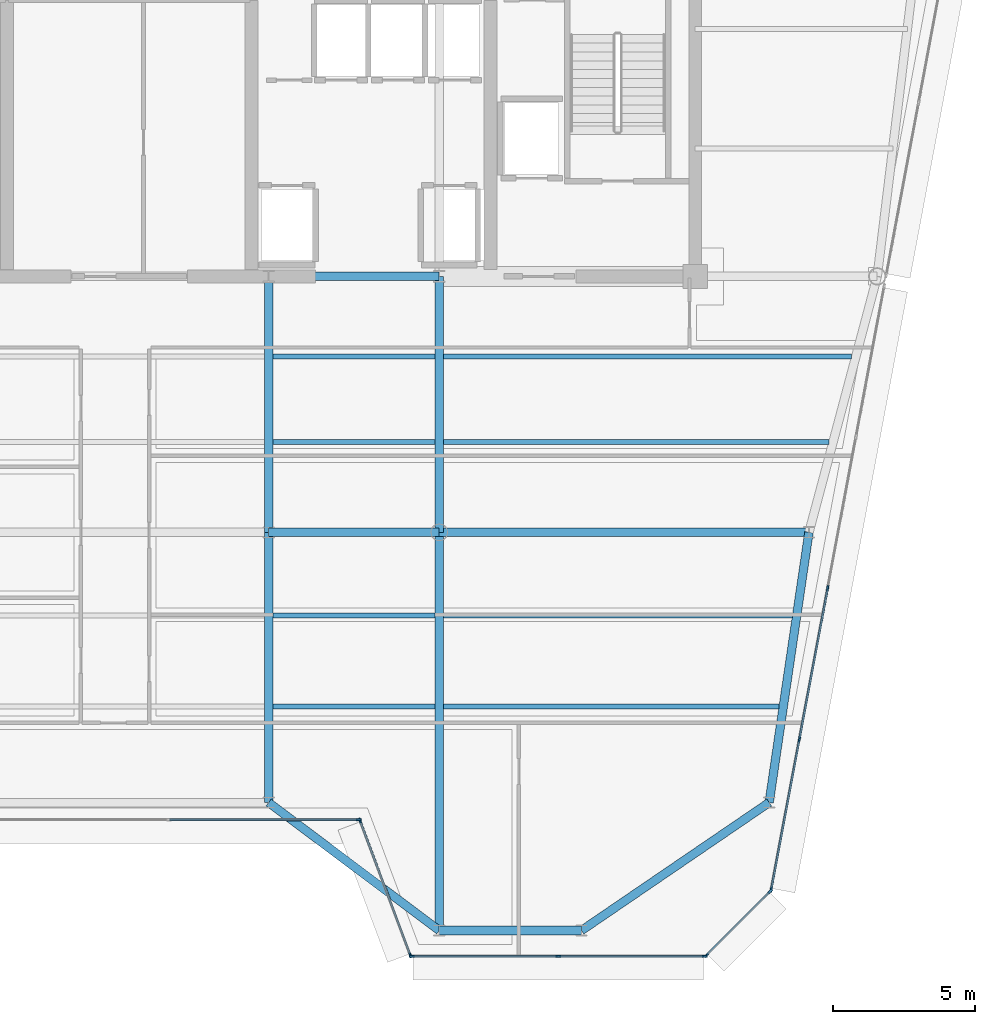
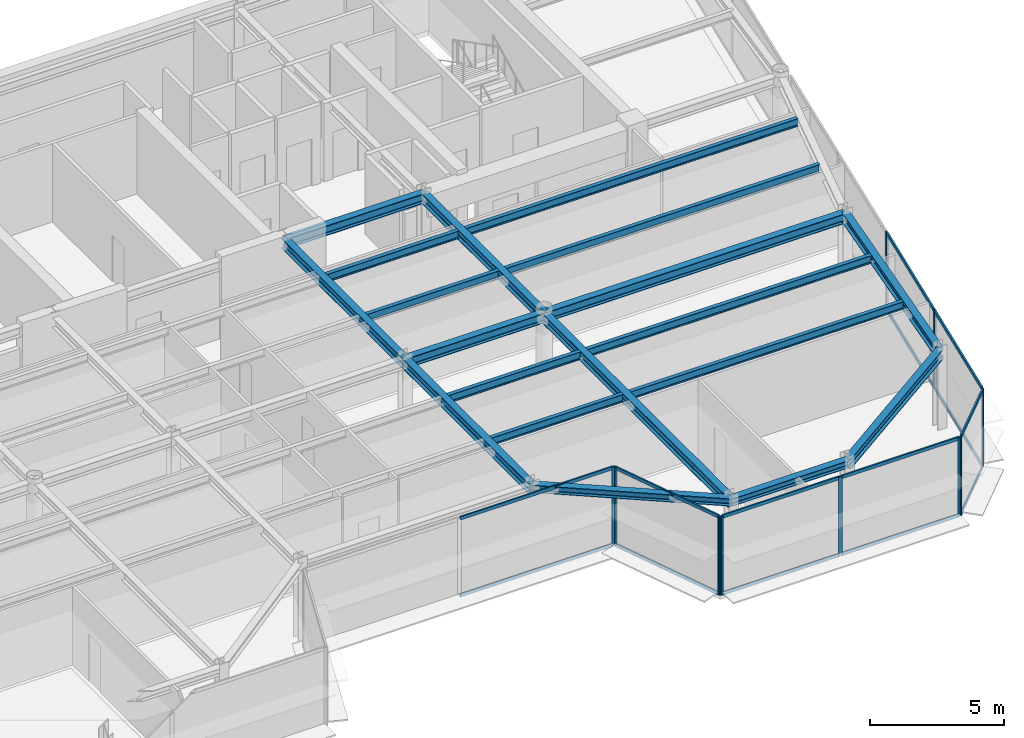
# One storey, part 6 of 20: 25 members, 19 beams, 5 elements without a shape of their own.
"""IFC4 building model written with IfcOpenShell, lengths in metres."""

from ifc_helpers import new_model, si_unit, direction, frame, origin, origin_2d, place, context, subcontext, project, spatial, rectangle, i_section, extrude, source, transform, mapped, material, layer, layer_set, material_profile, profile_set, type_object, element, aggregate, save


model = new_model("IFC4")

# Units and contexts
model_context = context("Model", 3, precision=1e-05, world=origin(), true_north=direction((0.0, 1.0)))
body_context = subcontext(model_context, "Body", "Model", "MODEL_VIEW")
ifc_project = project(units=[si_unit("LENGTHUNIT", "METRE"), si_unit("AREAUNIT", "SQUARE_METRE"), si_unit("VOLUMEUNIT", "CUBIC_METRE"), si_unit("PLANEANGLEUNIT", "RADIAN"), si_unit("MASSUNIT", "GRAM", prefix="KILO")], contexts=[model_context])

# Site, building, storey
site_placement = place(None, origin())
site = spatial("IfcSite", under=ifc_project, at=site_placement, CompositionType="ELEMENT")
building_placement = place(site_placement, origin())
building = spatial("IfcBuilding", under=site, at=building_placement, Name="Vaeldorn Concourse Tower", CompositionType="ELEMENT")
storey_placement = place(building_placement, frame((0.0, 0.0, 291.60009765625)))
storey = spatial("IfcBuildingStorey", under=building, at=storey_placement, Name="L75", CompositionType="ELEMENT", Elevation=291.60009765625)

# Beams
ifc_material_1 = material(Name="Steel S355", Category="steel")
ifc_material_profile_1 = material_profile(ifc_material_1, i_section(OverallWidth=0.300048828125, OverallDepth=0.449951171875, WebThickness=0.013916015625, FlangeThickness=0.02587890625, FilletRadius=0.027099609375, at=origin_2d()), Name="HEB 450")
ifc_profile_set_1 = profile_set([ifc_material_profile_1], Name="Steel S355")
beam_type_1 = type_object("IfcBeamType", Name="BM-PG-HEB450", PredefinedType="BEAM", material=ifc_profile_set_1)
shared_shape_1 = source(origin(), body_context, "Body", "SweptSolid", [
    extrude(i_section(OverallWidth=0.300048828125, OverallDepth=0.449951171875, WebThickness=0.013916015625, FlangeThickness=0.02587890625, FilletRadius=0.027099609375, at=origin_2d()), origin(), (0.0, 0.0, 1.0), 6.0),
])
for number, where, z_axis, x_axis, name in (
    (1, (39.0, 36.5, 3.35498046875), (1.0, 0.0, 0.0), (0.0, 1.0, 0.0), "Beam BM-L75-C-FC4-C-FC5"),
    (2, (39.0, 27.5, 3.35498046875), (1.0, 0.0, 0.0), (0.0, 1.0, 0.0), "Beam BM-L75-C-TW3-C-TW4"),
):
    element("IfcBeam", number, at=place(storey_placement, frame(where, z_axis=z_axis, x_axis=x_axis)), inside=storey, type_object=beam_type_1, Name=name, PredefinedType="BEAM", context=body_context, shape_type="MappedRepresentation", body=[
        mapped(shared_shape_1, transform((0.0, 0.0, 0.0), scale=1.0)),
    ])
ifc_material_profile_2 = material_profile(ifc_material_1, i_section(OverallWidth=0.169921875, OverallDepth=0.360107421875, WebThickness=0.008056640625, FlangeThickness=0.0126953125, FilletRadius=0.01806640625, at=origin_2d()), Name="IPE 360")
ifc_profile_set_2 = profile_set([ifc_material_profile_2], Name="Steel S355")
beam_type_2 = type_object("IfcBeamType", Name="BM-JS-IPE360", PredefinedType="JOIST", material=ifc_profile_set_2)
shared_shape_2 = source(origin(), body_context, "Body", "SweptSolid", [
    extrude(i_section(OverallWidth=0.169921875, OverallDepth=0.360107421875, WebThickness=0.008056640625, FlangeThickness=0.0126953125, FilletRadius=0.01806640625, at=origin_2d()), origin(), (0.0, 0.0, 1.0), 5.7001953125),
])
for number, where, z_axis, x_axis, name in (
    (3, (39.14990234375, 21.3798828125, 3.39990234375), (1.0, 0.0, 0.0), (0.0, 1.0, 0.0), "Beam JS-L75-E2-213"),
    (4, (39.14990234375, 24.580078125, 3.39990234375), (1.0, 0.0, 0.0), (0.0, 1.0, 0.0), "Beam JS-L75-E2-245"),
    (5, (39.14990234375, 30.679931640625, 3.39990234375), (1.0, 0.0, 0.0), (0.0, 1.0, 0.0), "Beam JS-L75-E2-306"),
    (6, (39.14990234375, 33.679931640625, 3.39990234375), (1.0, 0.0, 0.0), (0.0, 1.0, 0.0), "Beam JS-L75-E2-336"),
):
    element("IfcBeam", number, at=place(storey_placement, frame(where, z_axis=z_axis, x_axis=x_axis)), inside=storey, type_object=beam_type_2, Name=name, PredefinedType="JOIST", context=body_context, shape_type="MappedRepresentation", body=[
        mapped(shared_shape_2, transform((0.0, 0.0, 0.0), scale=1.0)),
    ])
ifc_material_profile_3 = material_profile(ifc_material_1, i_section(OverallWidth=0.300048828125, OverallDepth=0.340087890625, WebThickness=0.011962890625, FlangeThickness=0.021484375, FilletRadius=0.027099609375, at=origin_2d()), Name="HEB 340")
ifc_profile_set_3 = profile_set([ifc_material_profile_3], Name="Steel S355")
beam_type_3 = type_object("IfcBeamType", Name="BM-SP-HEB340", PredefinedType="SPANDREL", material=ifc_profile_set_3)
shared_shape_3 = source(origin(), body_context, "Body", "SweptSolid", [
    extrude(i_section(OverallWidth=0.300048828125, OverallDepth=0.340087890625, WebThickness=0.011962890625, FlangeThickness=0.021484375, FilletRadius=0.027099609375, at=origin_2d()), origin(), (0.0, 0.0, 1.0), 5.0),
])
beam_1_placement = place(storey_placement, frame((45.0, 13.5, 3.409912109375), z_axis=(1.0, 0.0, 0.0), x_axis=(0.0, 1.0, 0.0)))
element("IfcBeam", 7, at=beam_1_placement, inside=storey, type_object=beam_type_3, Name="Beam BM-L75-C-SF5-C-SF6", PredefinedType="SPANDREL", context=body_context, shape_type="MappedRepresentation", body=[
    mapped(shared_shape_3, transform((0.0, 0.0, 0.0), scale=1.0)),
])
shared_shape_4 = source(origin(), body_context, "Body", "SweptSolid", [
    extrude(i_section(OverallWidth=0.300048828125, OverallDepth=0.340087890625, WebThickness=0.011962890625, FlangeThickness=0.021484375, FilletRadius=0.027099609375, at=origin_2d()), origin(), (0.0, 0.0, 1.0), 7.5),
])
beam_2_placement = place(storey_placement, frame((39.0, 18.0, 3.409912109375), z_axis=(0.8, -0.6, 0.0), x_axis=(0.6, 0.8, 0.0)))
element("IfcBeam", 8, at=beam_2_placement, inside=storey, type_object=beam_type_3, Name="Beam BM-L75-C-SF4-C-SF5", PredefinedType="SPANDREL", context=body_context, shape_type="MappedRepresentation", body=[
    mapped(shared_shape_4, transform((0.0, 0.0, 0.0), scale=1.0)),
])
shared_shape_5 = source(origin(), body_context, "Body", "SweptSolid", [
    extrude(i_section(OverallWidth=0.169921875, OverallDepth=0.360107421875, WebThickness=0.008056640625, FlangeThickness=0.0126953125, FilletRadius=0.01806640625, at=origin_2d()), origin(), (0.0, 0.0, 1.0), 11.798095703125),
])
beam_3_placement = place(storey_placement, frame((45.14990234375, 21.3798828125, 3.39990234375), z_axis=(1.0, 0.0, 0.0), x_axis=(0.0, 1.0, 0.0)))
element("IfcBeam", 9, at=beam_3_placement, inside=storey, type_object=beam_type_2, Name="Beam JS-L75-E1-213", PredefinedType="JOIST", context=body_context, shape_type="MappedRepresentation", body=[
    mapped(shared_shape_5, transform((0.0, 0.0, 0.0), scale=1.0)),
])
shared_shape_6 = source(origin(), body_context, "Body", "SweptSolid", [
    extrude(i_section(OverallWidth=0.169921875, OverallDepth=0.360107421875, WebThickness=0.008056640625, FlangeThickness=0.0126953125, FilletRadius=0.01806640625, at=origin_2d()), origin(), (0.0, 0.0, 1.0), 12.269775390625),
])
beam_4_placement = place(storey_placement, frame((45.14990234375, 24.580078125, 3.39990234375), z_axis=(1.0, 0.0, 0.0), x_axis=(0.0, 1.0, 0.0)))
element("IfcBeam", 10, at=beam_4_placement, inside=storey, type_object=beam_type_2, Name="Beam JS-L75-E1-245", PredefinedType="JOIST", context=body_context, shape_type="MappedRepresentation", body=[
    mapped(shared_shape_6, transform((0.0, 0.0, 0.0), scale=1.0)),
])
shared_shape_7 = source(origin(), body_context, "Body", "SweptSolid", [
    extrude(i_section(OverallWidth=0.169921875, OverallDepth=0.360107421875, WebThickness=0.008056640625, FlangeThickness=0.0126953125, FilletRadius=0.01806640625, at=origin_2d()), origin(), (0.0, 0.0, 1.0), 13.548095703125),
])
beam_5_placement = place(storey_placement, frame((45.14990234375, 30.679931640625, 3.39990234375), z_axis=(1.0, 0.0, 0.0), x_axis=(0.0, 1.0, 0.0)))
element("IfcBeam", 11, at=beam_5_placement, inside=storey, type_object=beam_type_2, Name="Beam JS-L75-E1-306", PredefinedType="JOIST", context=body_context, shape_type="MappedRepresentation", body=[
    mapped(shared_shape_7, transform((0.0, 0.0, 0.0), scale=1.0)),
])
shared_shape_8 = source(origin(), body_context, "Body", "SweptSolid", [
    extrude(i_section(OverallWidth=0.169921875, OverallDepth=0.360107421875, WebThickness=0.008056640625, FlangeThickness=0.0126953125, FilletRadius=0.01806640625, at=origin_2d()), origin(), (0.0, 0.0, 1.0), 14.34814453125),
])
beam_6_placement = place(storey_placement, frame((45.14990234375, 33.679931640625, 3.39990234375), z_axis=(1.0, 0.0, 0.0), x_axis=(0.0, 1.0, 0.0)))
element("IfcBeam", 12, at=beam_6_placement, inside=storey, type_object=beam_type_2, Name="Beam JS-L75-E1-336", PredefinedType="JOIST", context=body_context, shape_type="MappedRepresentation", body=[
    mapped(shared_shape_8, transform((0.0, 0.0, 0.0), scale=1.0)),
])
shared_shape_9 = source(origin(), body_context, "Body", "SweptSolid", [
    extrude(i_section(OverallWidth=0.300048828125, OverallDepth=0.449951171875, WebThickness=0.013916015625, FlangeThickness=0.02587890625, FilletRadius=0.027099609375, at=origin_2d()), origin(), (0.0, 0.0, 1.0), 9.0),
])
for number, where, z_axis, x_axis, name in (
    (13, (39.0, 27.5, 3.35498046875), (0.0, 1.0, 0.0), (-1.0, 0.0, 0.0), "Beam BM-L75-C-TW3-C-FC4"),
    (14, (45.0, 27.5, 3.35498046875), (0.0, 1.0, 0.0), (-1.0, 0.0, 0.0), "Beam BM-L75-C-TW4-C-FC5"),
):
    element("IfcBeam", number, at=place(storey_placement, frame(where, z_axis=z_axis, x_axis=x_axis)), inside=storey, type_object=beam_type_1, Name=name, PredefinedType="BEAM", context=body_context, shape_type="MappedRepresentation", body=[
        mapped(shared_shape_9, transform((0.0, 0.0, 0.0), scale=1.0)),
    ])
shared_shape_10 = source(origin(), body_context, "Body", "SweptSolid", [
    extrude(i_section(OverallWidth=0.300048828125, OverallDepth=0.449951171875, WebThickness=0.013916015625, FlangeThickness=0.02587890625, FilletRadius=0.027099609375, at=origin_2d()), origin(), (0.0, 0.0, 1.0), 14.0),
])
beam_7_placement = place(storey_placement, frame((45.0, 13.5, 3.35498046875), z_axis=(0.0, 1.0, 0.0), x_axis=(-1.0, 0.0, 0.0)))
element("IfcBeam", 15, at=beam_7_placement, inside=storey, type_object=beam_type_1, Name="Beam BM-L75-C-SF5-C-TW4", PredefinedType="BEAM", context=body_context, shape_type="MappedRepresentation", body=[
    mapped(shared_shape_10, transform((0.0, 0.0, 0.0), scale=1.0)),
])
shared_shape_11 = source(origin(), body_context, "Body", "SweptSolid", [
    extrude(i_section(OverallWidth=0.300048828125, OverallDepth=0.449951171875, WebThickness=0.013916015625, FlangeThickness=0.02587890625, FilletRadius=0.027099609375, at=origin_2d()), origin(), (0.0, 0.0, 1.0), 13.0),
])
beam_8_placement = place(storey_placement, frame((45.0, 27.5, 3.35498046875), z_axis=(1.0, 0.0, 0.0), x_axis=(0.0, 1.0, 0.0)))
element("IfcBeam", 16, at=beam_8_placement, inside=storey, type_object=beam_type_1, Name="Beam BM-L75-C-TW4-C-FLE1", PredefinedType="BEAM", context=body_context, shape_type="MappedRepresentation", body=[
    mapped(shared_shape_11, transform((0.0, 0.0, 0.0), scale=1.0)),
])
shared_shape_12 = source(origin(), body_context, "Body", "SweptSolid", [
    extrude(i_section(OverallWidth=0.300048828125, OverallDepth=0.449951171875, WebThickness=0.013916015625, FlangeThickness=0.02587890625, FilletRadius=0.027099609375, at=origin_2d()), origin(), (0.0, 0.0, 1.0), 9.6025390625),
])
beam_9_placement = place(storey_placement, frame((58.0, 27.5, 3.35498046875), z_axis=(-0.145783835977, -0.989316467652, 0.0), x_axis=(0.989316467652, -0.145783835977, 0.0)))
element("IfcBeam", 17, at=beam_9_placement, inside=storey, type_object=beam_type_1, Name="Beam BM-L75-C-FLE1-C-FLE2", PredefinedType="BEAM", context=body_context, shape_type="MappedRepresentation", body=[
    mapped(shared_shape_12, transform((0.0, 0.0, 0.0), scale=1.0)),
])
shared_shape_13 = source(origin(), body_context, "Body", "SweptSolid", [
    extrude(i_section(OverallWidth=0.300048828125, OverallDepth=0.449951171875, WebThickness=0.013916015625, FlangeThickness=0.02587890625, FilletRadius=0.027099609375, at=origin_2d()), origin(), (0.0, 0.0, 1.0), 7.98828125),
])
beam_10_placement = place(storey_placement, frame((50.0, 13.5, 3.35498046875), z_axis=(0.826231222393, 0.56333113454, 0.0), x_axis=(-0.56333113454, 0.826231222393, 0.0)))
element("IfcBeam", 18, at=beam_10_placement, inside=storey, type_object=beam_type_1, Name="Beam BM-L75-C-SF6-C-FLE2", PredefinedType="BEAM", context=body_context, shape_type="MappedRepresentation", body=[
    mapped(shared_shape_13, transform((0.0, 0.0, 0.0), scale=1.0)),
])
shared_shape_14 = source(origin(), body_context, "Body", "SweptSolid", [
    extrude(i_section(OverallWidth=0.300048828125, OverallDepth=0.449951171875, WebThickness=0.013916015625, FlangeThickness=0.02587890625, FilletRadius=0.027099609375, at=origin_2d()), origin(), (0.0, 0.0, 1.0), 9.5),
])
beam_11_placement = place(storey_placement, frame((39.0, 18.0, 3.35498046875), z_axis=(0.0, 1.0, 0.0), x_axis=(-1.0, 0.0, 0.0)))
element("IfcBeam", 19, at=beam_11_placement, inside=storey, type_object=beam_type_1, Name="Beam BM-L75-C-SF4-C-TW3", PredefinedType="BEAM", context=body_context, shape_type="MappedRepresentation", body=[
    mapped(shared_shape_14, transform((0.0, 0.0, 0.0), scale=1.0)),
])

# Curtain wall, member
ifc_material_2 = material(Name="Anodised Bronze Aluminium", Category="aluminium")
ifc_layer = layer(ifc_material_2, 0.179931640625)
ifc_layer_set = layer_set([ifc_layer], Name="Anodised Bronze Aluminium")
curtain_wall_type = type_object("IfcCurtainWallType", Name="CW-SYS-05", PredefinedType="NOTDEFINED", material=ifc_layer_set)
curtain_wall_1_placement = place(storey_placement, origin())
curtain_wall_1 = element("IfcCurtainWall", 20, at=curtain_wall_1_placement, inside=storey, type_object=curtain_wall_type, Name="Unitised Curtain Wall CW-L75-E03-1", PredefinedType="NOTDEFINED")
ifc_material_profile_4 = material_profile(ifc_material_2, rectangle(XDim=0.06494140625, YDim=0.169921875, at=origin_2d()), Name="CWM 65x170")
ifc_profile_set_4 = profile_set([ifc_material_profile_4], Name="Anodised Bronze Aluminium")
member_type_1 = type_object("IfcMemberType", Name="CWM-BRONZE-170", PredefinedType="MULLION", material=ifc_profile_set_4)
shared_shape_15 = source(origin(), body_context, "Body", "SweptSolid", [
    extrude(rectangle(XDim=0.06494140625, YDim=0.169921875, at=origin_2d()), origin(), (0.0, 0.0, 1.0), 3.579833984375),
])
member_1_placement = place(storey_placement, frame((42.16748046875, 17.39990234375, 0.0), z_axis=(0.0, 0.0, 1.0), x_axis=(0.0, 1.0, 0.0)))
member_1 = element("IfcMember", 21, at=member_1_placement, type_object=member_type_1, Name="CW-05 mullion 3", PredefinedType="MULLION", context=body_context, shape_type="MappedRepresentation", body=[
    mapped(shared_shape_15, transform((0.0, 0.0, 0.0), scale=1.0)),
])

# Curtain wall, members
curtain_wall_2_placement = place(storey_placement, origin())
curtain_wall_2 = element("IfcCurtainWall", 22, at=curtain_wall_2_placement, inside=storey, type_object=curtain_wall_type, Name="Unitised Curtain Wall CW-L75-E04-1", PredefinedType="NOTDEFINED")
member_2_placement = place(storey_placement, frame((42.21142578125, 17.36962890625, 0.0), z_axis=(0.0, 0.0, 1.0), x_axis=(0.936329177566, 0.351123441595, 0.0)))
member_2 = element("IfcMember", 23, at=member_2_placement, type_object=member_type_1, Name="CW-05 mullion 1", PredefinedType="MULLION", context=body_context, shape_type="MappedRepresentation", body=[
    mapped(shared_shape_15, transform((0.0, 0.0, 0.0), scale=1.0)),
])
member_3_placement = place(storey_placement, frame((43.988525390625, 12.63037109375, 0.0), z_axis=(0.0, 0.0, 1.0), x_axis=(0.936329177566, 0.351123441595, 0.0)))
member_3 = element("IfcMember", 24, at=member_3_placement, type_object=member_type_1, Name="CW-05 mullion 2", PredefinedType="MULLION", context=body_context, shape_type="MappedRepresentation", body=[
    mapped(shared_shape_15, transform((0.0, 0.0, 0.0), scale=1.0)),
])

curtain_wall_3_placement = place(storey_placement, origin())
curtain_wall_3 = element("IfcCurtainWall", 25, at=curtain_wall_3_placement, inside=storey, type_object=curtain_wall_type, Name="Unitised Curtain Wall CW-L75-E05-1", PredefinedType="NOTDEFINED")
member_4_placement = place(storey_placement, frame((44.032470703125, 12.60009765625, 0.0), z_axis=(0.0, 0.0, 1.0), x_axis=(0.0, 1.0, 0.0)))
member_4 = element("IfcMember", 26, at=member_4_placement, type_object=member_type_1, Name="CW-05 mullion 1", PredefinedType="MULLION", context=body_context, shape_type="MappedRepresentation", body=[
    mapped(shared_shape_15, transform((0.0, 0.0, 0.0), scale=1.0)),
])
member_5_placement = place(storey_placement, frame((49.181884765625, 12.60009765625, 0.0), z_axis=(0.0, 0.0, 1.0), x_axis=(0.0, 1.0, 0.0)))
member_5 = element("IfcMember", 27, at=member_5_placement, type_object=member_type_1, Name="CW-05 mullion 2", PredefinedType="MULLION", context=body_context, shape_type="MappedRepresentation", body=[
    mapped(shared_shape_15, transform((0.0, 0.0, 0.0), scale=1.0)),
])
member_6_placement = place(storey_placement, frame((54.33154296875, 12.60009765625, 0.0), z_axis=(0.0, 0.0, 1.0), x_axis=(0.0, 1.0, 0.0)))
member_6 = element("IfcMember", 28, at=member_6_placement, type_object=member_type_1, Name="CW-05 mullion 3", PredefinedType="MULLION", context=body_context, shape_type="MappedRepresentation", body=[
    mapped(shared_shape_15, transform((0.0, 0.0, 0.0), scale=1.0)),
])

curtain_wall_4_placement = place(storey_placement, origin())
curtain_wall_4 = element("IfcCurtainWall", 29, at=curtain_wall_4_placement, inside=storey, type_object=curtain_wall_type, Name="Unitised Curtain Wall CW-L75-E06-1", PredefinedType="NOTDEFINED")
member_7_placement = place(storey_placement, frame((54.386962890625, 12.623046875, 0.0), z_axis=(0.0, 0.0, 1.0), x_axis=(-0.707106781187, 0.707106781187, 0.0)))
member_7 = element("IfcMember", 30, at=member_7_placement, type_object=member_type_1, Name="CW-05 mullion 1", PredefinedType="MULLION", context=body_context, shape_type="MappedRepresentation", body=[
    mapped(shared_shape_15, transform((0.0, 0.0, 0.0), scale=1.0)),
])
member_8_placement = place(storey_placement, frame((56.64111328125, 14.876953125, 0.0), z_axis=(0.0, 0.0, 1.0), x_axis=(-0.707106781187, 0.707106781187, 0.0)))
member_8 = element("IfcMember", 31, at=member_8_placement, type_object=member_type_1, Name="CW-05 mullion 2", PredefinedType="MULLION", context=body_context, shape_type="MappedRepresentation", body=[
    mapped(shared_shape_15, transform((0.0, 0.0, 0.0), scale=1.0)),
])

curtain_wall_5_placement = place(storey_placement, origin())
curtain_wall_5 = element("IfcCurtainWall", 32, at=curtain_wall_5_placement, inside=storey, type_object=curtain_wall_type, Name="Unitised Curtain Wall CW-L75-E07-1", PredefinedType="NOTDEFINED")
member_9_placement = place(storey_placement, frame((56.669921875, 14.931884765625, 0.0), z_axis=(0.0, 0.0, 1.0), x_axis=(-0.982880027444, 0.184246714088, 0.0)))
member_9 = element("IfcMember", 33, at=member_9_placement, type_object=member_type_1, Name="CW-05 mullion 1", PredefinedType="MULLION", context=body_context, shape_type="MappedRepresentation", body=[
    mapped(shared_shape_15, transform((0.0, 0.0, 0.0), scale=1.0)),
])
member_10_placement = place(storey_placement, frame((57.66162109375, 20.22119140625, 0.0), z_axis=(0.0, 0.0, 1.0), x_axis=(-0.982880027444, 0.184246714088, 0.0)))
member_10 = element("IfcMember", 34, at=member_10_placement, type_object=member_type_1, Name="CW-05 mullion 2", PredefinedType="MULLION", context=body_context, shape_type="MappedRepresentation", body=[
    mapped(shared_shape_15, transform((0.0, 0.0, 0.0), scale=1.0)),
])
member_11_placement = place(storey_placement, frame((58.658935546875, 25.54248046875, 0.0), z_axis=(0.0, 0.0, 1.0), x_axis=(-0.982880027444, 0.184246714088, 0.0)))
member_11 = element("IfcMember", 35, at=member_11_placement, type_object=member_type_1, Name="CW-05 mullion 3", PredefinedType="MULLION", context=body_context, shape_type="MappedRepresentation", body=[
    mapped(shared_shape_15, transform((0.0, 0.0, 0.0), scale=1.0)),
])

# Member
ifc_material_profile_5 = material_profile(ifc_material_2, rectangle(XDim=0.06494140625, YDim=0.14990234375, at=origin_2d()), Name="CWT 65x150")
ifc_profile_set_5 = profile_set([ifc_material_profile_5], Name="Anodised Bronze Aluminium")
member_type_2 = type_object("IfcMemberType", Name="CWT-BRONZE-150", PredefinedType="USERDEFINED", material=ifc_profile_set_5)
shared_shape_16 = source(origin(), body_context, "Body", "SweptSolid", [
    extrude(rectangle(XDim=0.06494140625, YDim=0.14990234375, at=origin_2d()), origin(), (0.0, 0.0, 1.0), 4.996337890625),
])
member_12_placement = place(storey_placement, frame((42.222900390625, 17.339111328125, 0.032470703125), z_axis=(0.351134151405, -0.936325161318, 0.0), x_axis=(0.936325161318, 0.351134151405, 0.0)))
member_12 = element("IfcMember", 36, at=member_12_placement, type_object=member_type_2, Name="CW-05 transom 1.1", ObjectType="TRANSOM", PredefinedType="USERDEFINED", context=body_context, shape_type="MappedRepresentation", body=[
    mapped(shared_shape_16, transform((0.0, 0.0, 0.0), scale=1.0)),
])

member_13_placement = place(storey_placement, frame((42.222900390625, 17.339111328125, 3.54736328125), z_axis=(0.351134151405, -0.936325161318, 0.0), x_axis=(0.936325161318, 0.351134151405, 0.0)))
member_13 = element("IfcMember", 37, at=member_13_placement, type_object=member_type_2, Name="CW-05 transom 1.2", ObjectType="TRANSOM", PredefinedType="USERDEFINED", context=body_context, shape_type="MappedRepresentation", body=[
    mapped(shared_shape_16, transform((0.0, 0.0, 0.0), scale=1.0)),
])

aggregate(curtain_wall_2, [member_2, member_3, member_12, member_13])

shared_shape_17 = source(origin(), body_context, "Body", "SweptSolid", [
    extrude(rectangle(XDim=0.06494140625, YDim=0.14990234375, at=origin_2d()), origin(), (0.0, 0.0, 1.0), 6.6025390625),
])
member_14_placement = place(storey_placement, frame((35.532470703125, 17.39990234375, 0.032470703125), z_axis=(1.0, 0.0, 0.0), x_axis=(0.0, 1.0, 0.0)))
member_14 = element("IfcMember", 38, at=member_14_placement, type_object=member_type_2, Name="CW-05 transom 2.1", ObjectType="TRANSOM", PredefinedType="USERDEFINED", context=body_context, shape_type="MappedRepresentation", body=[
    mapped(shared_shape_17, transform((0.0, 0.0, 0.0), scale=1.0)),
])

member_15_placement = place(storey_placement, frame((35.532470703125, 17.39990234375, 3.54736328125), z_axis=(1.0, 0.0, 0.0), x_axis=(0.0, 1.0, 0.0)))
member_15 = element("IfcMember", 39, at=member_15_placement, type_object=member_type_2, Name="CW-05 transom 2.2", ObjectType="TRANSOM", PredefinedType="USERDEFINED", context=body_context, shape_type="MappedRepresentation", body=[
    mapped(shared_shape_17, transform((0.0, 0.0, 0.0), scale=1.0)),
])

aggregate(curtain_wall_1, [member_1, member_14, member_15])

shared_shape_18 = source(origin(), body_context, "Body", "SweptSolid", [
    extrude(rectangle(XDim=0.06494140625, YDim=0.14990234375, at=origin_2d()), origin(), (0.0, 0.0, 1.0), 3.12255859375),
])
member_16_placement = place(storey_placement, frame((54.409912109375, 12.64599609375, 0.032470703125), z_axis=(0.707106781187, 0.707106781187, 0.0), x_axis=(-0.707106781187, 0.707106781187, 0.0)))
member_16 = element("IfcMember", 40, at=member_16_placement, type_object=member_type_2, Name="CW-05 transom 1.1", ObjectType="TRANSOM", PredefinedType="USERDEFINED", context=body_context, shape_type="MappedRepresentation", body=[
    mapped(shared_shape_18, transform((0.0, 0.0, 0.0), scale=1.0)),
])

member_17_placement = place(storey_placement, frame((54.409912109375, 12.64599609375, 3.54736328125), z_axis=(0.707106781187, 0.707106781187, 0.0), x_axis=(-0.707106781187, 0.707106781187, 0.0)))
member_17 = element("IfcMember", 41, at=member_17_placement, type_object=member_type_2, Name="CW-05 transom 1.2", ObjectType="TRANSOM", PredefinedType="USERDEFINED", context=body_context, shape_type="MappedRepresentation", body=[
    mapped(shared_shape_18, transform((0.0, 0.0, 0.0), scale=1.0)),
])

aggregate(curtain_wall_4, [member_7, member_8, member_16, member_17])

shared_shape_19 = source(origin(), body_context, "Body", "SweptSolid", [
    extrude(rectangle(XDim=0.06494140625, YDim=0.14990234375, at=origin_2d()), origin(), (0.0, 0.0, 1.0), 5.31640625),
])
member_18_placement = place(storey_placement, frame((56.676025390625, 14.9638671875, 0.032470703125), z_axis=(0.184241399207, 0.982881023735, 0.0), x_axis=(-0.982881023735, 0.184241399207, 0.0)))
member_18 = element("IfcMember", 42, at=member_18_placement, type_object=member_type_2, Name="CW-05 transom 1.1", ObjectType="TRANSOM", PredefinedType="USERDEFINED", context=body_context, shape_type="MappedRepresentation", body=[
    mapped(shared_shape_19, transform((0.0, 0.0, 0.0), scale=1.0)),
])

member_19_placement = place(storey_placement, frame((56.676025390625, 14.9638671875, 3.54736328125), z_axis=(0.184241399207, 0.982881023735, 0.0), x_axis=(-0.982881023735, 0.184241399207, 0.0)))
member_19 = element("IfcMember", 43, at=member_19_placement, type_object=member_type_2, Name="CW-05 transom 1.2", ObjectType="TRANSOM", PredefinedType="USERDEFINED", context=body_context, shape_type="MappedRepresentation", body=[
    mapped(shared_shape_19, transform((0.0, 0.0, 0.0), scale=1.0)),
])

shared_shape_20 = source(origin(), body_context, "Body", "SweptSolid", [
    extrude(rectangle(XDim=0.06494140625, YDim=0.14990234375, at=origin_2d()), origin(), (0.0, 0.0, 1.0), 5.348876953125),
])
member_20_placement = place(storey_placement, frame((57.66748046875, 20.253173828125, 0.032470703125), z_axis=(0.184260976912, 0.982877353685, 0.0), x_axis=(-0.982877353685, 0.184260976912, 0.0)))
member_20 = element("IfcMember", 44, at=member_20_placement, type_object=member_type_2, Name="CW-05 transom 2.1", ObjectType="TRANSOM", PredefinedType="USERDEFINED", context=body_context, shape_type="MappedRepresentation", body=[
    mapped(shared_shape_20, transform((0.0, 0.0, 0.0), scale=1.0)),
])

member_21_placement = place(storey_placement, frame((57.66748046875, 20.253173828125, 3.54736328125), z_axis=(0.184260976912, 0.982877353685, 0.0), x_axis=(-0.982877353685, 0.184260976912, 0.0)))
member_21 = element("IfcMember", 45, at=member_21_placement, type_object=member_type_2, Name="CW-05 transom 2.2", ObjectType="TRANSOM", PredefinedType="USERDEFINED", context=body_context, shape_type="MappedRepresentation", body=[
    mapped(shared_shape_20, transform((0.0, 0.0, 0.0), scale=1.0)),
])

aggregate(curtain_wall_5, [member_9, member_10, member_11, member_18, member_19, member_20, member_21])

shared_shape_21 = source(origin(), body_context, "Body", "SweptSolid", [
    extrude(rectangle(XDim=0.06494140625, YDim=0.14990234375, at=origin_2d()), origin(), (0.0, 0.0, 1.0), 5.08447265625),
])
member_22_placement = place(storey_placement, frame((44.06494140625, 12.60009765625, 0.032470703125), z_axis=(1.0, 0.0, 0.0), x_axis=(0.0, 1.0, 0.0)))
member_22 = element("IfcMember", 46, at=member_22_placement, type_object=member_type_2, Name="CW-05 transom 1.1", ObjectType="TRANSOM", PredefinedType="USERDEFINED", context=body_context, shape_type="MappedRepresentation", body=[
    mapped(shared_shape_21, transform((0.0, 0.0, 0.0), scale=1.0)),
])

member_23_placement = place(storey_placement, frame((44.06494140625, 12.60009765625, 3.54736328125), z_axis=(1.0, 0.0, 0.0), x_axis=(0.0, 1.0, 0.0)))
member_23 = element("IfcMember", 47, at=member_23_placement, type_object=member_type_2, Name="CW-05 transom 1.2", ObjectType="TRANSOM", PredefinedType="USERDEFINED", context=body_context, shape_type="MappedRepresentation", body=[
    mapped(shared_shape_21, transform((0.0, 0.0, 0.0), scale=1.0)),
])

member_24_placement = place(storey_placement, frame((49.214599609375, 12.60009765625, 0.032470703125), z_axis=(1.0, 0.0, 0.0), x_axis=(0.0, 1.0, 0.0)))
member_24 = element("IfcMember", 48, at=member_24_placement, type_object=member_type_2, Name="CW-05 transom 2.1", ObjectType="TRANSOM", PredefinedType="USERDEFINED", context=body_context, shape_type="MappedRepresentation", body=[
    mapped(shared_shape_21, transform((0.0, 0.0, 0.0), scale=1.0)),
])

member_25_placement = place(storey_placement, frame((49.214599609375, 12.60009765625, 3.54736328125), z_axis=(1.0, 0.0, 0.0), x_axis=(0.0, 1.0, 0.0)))
member_25 = element("IfcMember", 49, at=member_25_placement, type_object=member_type_2, Name="CW-05 transom 2.2", ObjectType="TRANSOM", PredefinedType="USERDEFINED", context=body_context, shape_type="MappedRepresentation", body=[
    mapped(shared_shape_21, transform((0.0, 0.0, 0.0), scale=1.0)),
])

aggregate(curtain_wall_3, [member_4, member_5, member_6, member_22, member_23, member_24, member_25])

save(model, "model.ifc")
